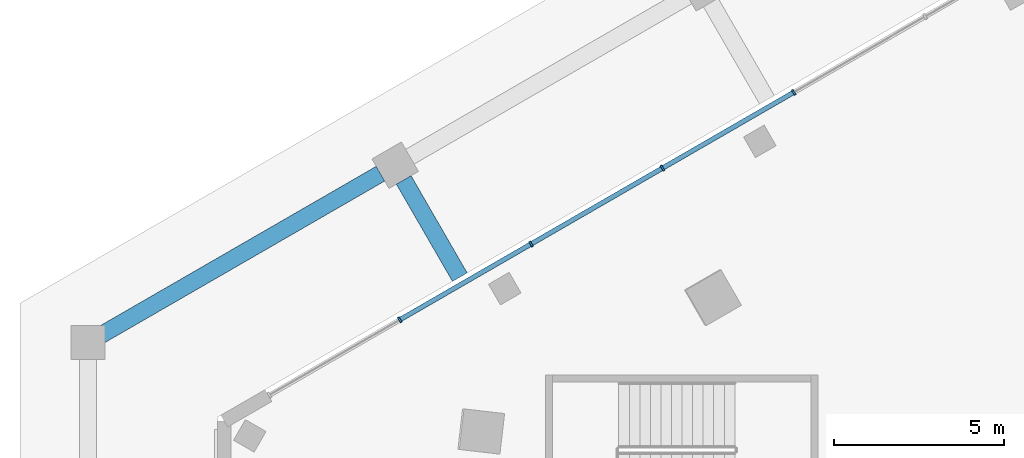
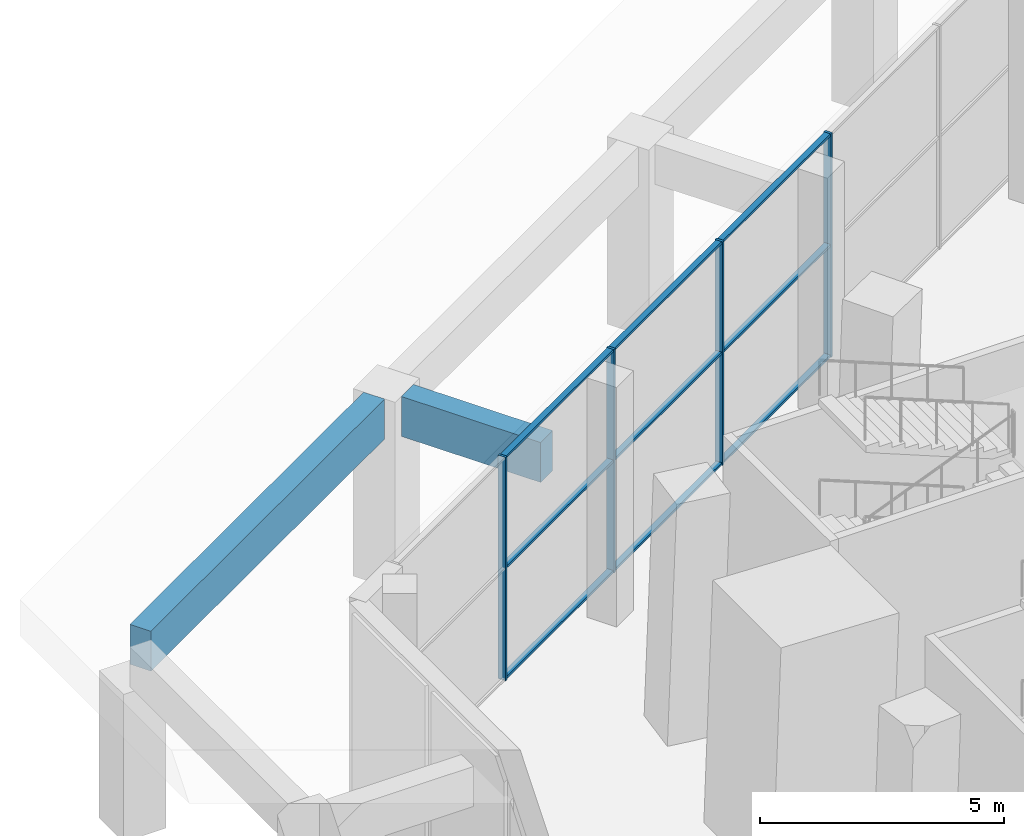
# One storey, part 7 of 51: 13 members, 2 beams, 1 element without a shape of its own.
"""IFC4 building model written with IfcOpenShell, lengths in metres."""

from ifc_helpers import new_model, si_unit, direction, frame, origin, origin_2d, place, context, subcontext, project, spatial, rectangle, extrude, material, layer, layer_set, material_profile, profile_set, type_object, element, aggregate, save


model = new_model("IFC4")

# Units and contexts
model_context = context("Model", 3, precision=1e-05, world=origin(), true_north=direction((0.0, 1.0)))
body_context = subcontext(model_context, "Body", "Model", "MODEL_VIEW")
ifc_project = project(units=[si_unit("LENGTHUNIT", "METRE"), si_unit("AREAUNIT", "SQUARE_METRE"), si_unit("VOLUMEUNIT", "CUBIC_METRE"), si_unit("PLANEANGLEUNIT", "RADIAN"), si_unit("MASSUNIT", "GRAM", prefix="KILO")], contexts=[model_context])

# Site, building, storey
site_placement = place(None, origin())
site = spatial("IfcSite", under=ifc_project, at=site_placement, CompositionType="ELEMENT")
building_placement = place(site_placement, origin())
building = spatial("IfcBuilding", under=site, at=building_placement, Name="Jabali Bay Hotel Tower and Convention Centre", CompositionType="ELEMENT")
storey_placement = place(building_placement, frame((0.0, 0.0, 9.0)))
storey = spatial("IfcBuildingStorey", under=building, at=storey_placement, Name="L01", CompositionType="ELEMENT", Elevation=9.0)

# Beams
ifc_material_1 = material(Name="Concrete C40", Category="concrete")
ifc_material_profile_1 = material_profile(ifc_material_1, rectangle(XDim=0.5, YDim=1.0, at=origin_2d()), Name="RC 500x1000")
ifc_profile_set_1 = profile_set([ifc_material_profile_1], Name="Concrete C40")
beam_type = type_object("IfcBeamType", Name="Arcade Edge Beam 500x1000", PredefinedType="BEAM", material=ifc_profile_set_1)
beam_1_placement = place(storey_placement, frame((31.249755859375, 92.2685546875, 4.199951171875), z_axis=(-0.866025895183, -0.499999148871, 0.0), x_axis=(0.499999148871, -0.866025895183, 0.0)))
element("IfcBeam", 1, at=beam_1_placement, inside=storey, type_object=beam_type, Name="Arcade edge beam 10", PredefinedType="BEAM", context=body_context, shape_type="SweptSolid", body=[
    extrude(rectangle(XDim=0.5, YDim=1.0, at=origin_2d()), origin(), (0.0, 0.0, 1.0), 9.59814453125),
])
beam_2_placement = place(storey_placement, frame((31.9326171875, 92.08544921875, 4.199951171875), z_axis=(0.50002983664, -0.866008176907, 0.0), x_axis=(0.866008176907, 0.50002983664, 0.0)))
element("IfcBeam", 2, at=beam_2_placement, inside=storey, type_object=beam_type, Name="Arcade cross beam 8", PredefinedType="BEAM", context=body_context, shape_type="SweptSolid", body=[
    extrude(rectangle(XDim=0.5, YDim=1.0, at=origin_2d()), origin(), (0.0, 0.0, 1.0), 3.300048828125),
])

# Curtain wall, members
ifc_material_2 = material(Name="Aluminium and glass", Category="aluminium")
ifc_layer = layer(ifc_material_2, 0.179931640625)
ifc_layer_set = layer_set([ifc_layer], Name="Aluminium and glass")
curtain_wall_type = type_object("IfcCurtainWallType", Name="CW1 curtain wall", PredefinedType="NOTDEFINED", material=ifc_layer_set)
curtain_wall_placement = place(storey_placement, origin())
curtain_wall = element("IfcCurtainWall", 3, at=curtain_wall_placement, inside=storey, type_object=curtain_wall_type, Name="CW1 curtain wall north-west face L01", PredefinedType="NOTDEFINED")
ifc_material_3 = material(Name="Aluminium", Category="aluminium")
ifc_material_profile_2 = material_profile(ifc_material_3, rectangle(XDim=0.179931640625, YDim=0.06005859375, at=origin_2d()), Name="CW1 mullion 60 x 180")
ifc_profile_set_2 = profile_set([ifc_material_profile_2], Name="Aluminium")
member_type_1 = type_object("IfcMemberType", Name="CW1 mullion 60 x 180", PredefinedType="MULLION", material=ifc_profile_set_2)
member_1_placement = place(storey_placement, frame((31.817138671875, 87.977294921875, 0.0), z_axis=(0.0, 0.0, 1.0), x_axis=(-0.499999999441, 0.866025404107, 0.0)))
member_1 = element("IfcMember", 4, at=member_1_placement, type_object=member_type_1, Name="CW1 mullion 2", PredefinedType="MULLION", context=body_context, shape_type="SweptSolid", body=[
    extrude(rectangle(XDim=0.179931640625, YDim=0.06005859375, at=origin_2d()), origin(), (0.0, 0.0, 1.0), 5.60009765625),
])
member_2_placement = place(storey_placement, frame((35.6748046875, 90.20458984375, 0.0), z_axis=(0.0, 0.0, 1.0), x_axis=(-0.499999999441, 0.866025404107, 0.0)))
member_2 = element("IfcMember", 5, at=member_2_placement, type_object=member_type_1, Name="CW1 mullion 3", PredefinedType="MULLION", context=body_context, shape_type="SweptSolid", body=[
    extrude(rectangle(XDim=0.179931640625, YDim=0.06005859375, at=origin_2d()), origin(), (0.0, 0.0, 1.0), 5.60009765625),
])
member_3_placement = place(storey_placement, frame((39.532470703125, 92.431884765625, 0.0), z_axis=(0.0, 0.0, 1.0), x_axis=(-0.499999999441, 0.866025404107, 0.0)))
member_3 = element("IfcMember", 6, at=member_3_placement, type_object=member_type_1, Name="CW1 mullion 4", PredefinedType="MULLION", context=body_context, shape_type="SweptSolid", body=[
    extrude(rectangle(XDim=0.179931640625, YDim=0.06005859375, at=origin_2d()), origin(), (0.0, 0.0, 1.0), 5.60009765625),
])
member_4_placement = place(storey_placement, frame((43.39013671875, 94.658935546875, 0.0), z_axis=(0.0, 0.0, 1.0), x_axis=(-0.499999999441, 0.866025404107, 0.0)))
member_4 = element("IfcMember", 7, at=member_4_placement, type_object=member_type_1, Name="CW1 mullion 5", PredefinedType="MULLION", context=body_context, shape_type="SweptSolid", body=[
    extrude(rectangle(XDim=0.179931640625, YDim=0.06005859375, at=origin_2d()), origin(), (0.0, 0.0, 1.0), 5.60009765625),
])
ifc_material_profile_3 = material_profile(ifc_material_3, rectangle(XDim=0.139892578125, YDim=0.06005859375, at=origin_2d()), Name="CW1 transom 60 x 140")
ifc_profile_set_3 = profile_set([ifc_material_profile_3], Name="Aluminium")
member_type_2 = type_object("IfcMemberType", Name="CW1 transom 60 x 140", PredefinedType="USERDEFINED", material=ifc_profile_set_3)
member_5_placement = place(storey_placement, frame((31.843017578125, 87.9921875, 0.030029296875), z_axis=(0.866019052629, 0.500011000363, 0.0), x_axis=(-0.500011000363, 0.866019052629, 0.0)))
member_5 = element("IfcMember", 8, at=member_5_placement, type_object=member_type_2, Name="CW1 transom 2.1", ObjectType="TRANSOM", PredefinedType="USERDEFINED", context=body_context, shape_type="SweptSolid", body=[
    extrude(rectangle(XDim=0.139892578125, YDim=0.06005859375, at=origin_2d()), origin(), (0.0, 0.0, 1.0), 4.39453125),
])
member_6_placement = place(storey_placement, frame((31.843017578125, 87.9921875, 2.800048828125), z_axis=(0.866019052629, 0.500011000363, 0.0), x_axis=(-0.500011000363, 0.866019052629, 0.0)))
member_6 = element("IfcMember", 9, at=member_6_placement, type_object=member_type_2, Name="CW1 transom 2.2", ObjectType="TRANSOM", PredefinedType="USERDEFINED", context=body_context, shape_type="SweptSolid", body=[
    extrude(rectangle(XDim=0.139892578125, YDim=0.06005859375, at=origin_2d()), origin(), (0.0, 0.0, 1.0), 4.39453125),
])
member_7_placement = place(storey_placement, frame((31.843017578125, 87.9921875, 5.570068359375), z_axis=(0.866019052629, 0.500011000363, 0.0), x_axis=(-0.500011000363, 0.866019052629, 0.0)))
member_7 = element("IfcMember", 10, at=member_7_placement, type_object=member_type_2, Name="CW1 transom 2.3", ObjectType="TRANSOM", PredefinedType="USERDEFINED", context=body_context, shape_type="SweptSolid", body=[
    extrude(rectangle(XDim=0.139892578125, YDim=0.06005859375, at=origin_2d()), origin(), (0.0, 0.0, 1.0), 4.39453125),
])
member_8_placement = place(storey_placement, frame((35.70068359375, 90.219482421875, 0.030029296875), z_axis=(0.866032941432, 0.499986944184, 0.0), x_axis=(-0.499986944184, 0.866032941432, 0.0)))
member_8 = element("IfcMember", 11, at=member_8_placement, type_object=member_type_2, Name="CW1 transom 3.1", ObjectType="TRANSOM", PredefinedType="USERDEFINED", context=body_context, shape_type="SweptSolid", body=[
    extrude(rectangle(XDim=0.139892578125, YDim=0.06005859375, at=origin_2d()), origin(), (0.0, 0.0, 1.0), 4.39453125),
])
member_9_placement = place(storey_placement, frame((35.70068359375, 90.219482421875, 2.800048828125), z_axis=(0.866032941432, 0.499986944184, 0.0), x_axis=(-0.499986944184, 0.866032941432, 0.0)))
member_9 = element("IfcMember", 12, at=member_9_placement, type_object=member_type_2, Name="CW1 transom 3.2", ObjectType="TRANSOM", PredefinedType="USERDEFINED", context=body_context, shape_type="SweptSolid", body=[
    extrude(rectangle(XDim=0.139892578125, YDim=0.06005859375, at=origin_2d()), origin(), (0.0, 0.0, 1.0), 4.39453125),
])
member_10_placement = place(storey_placement, frame((35.70068359375, 90.219482421875, 5.570068359375), z_axis=(0.866032941432, 0.499986944184, 0.0), x_axis=(-0.499986944184, 0.866032941432, 0.0)))
member_10 = element("IfcMember", 13, at=member_10_placement, type_object=member_type_2, Name="CW1 transom 3.3", ObjectType="TRANSOM", PredefinedType="USERDEFINED", context=body_context, shape_type="SweptSolid", body=[
    extrude(rectangle(XDim=0.139892578125, YDim=0.06005859375, at=origin_2d()), origin(), (0.0, 0.0, 1.0), 4.39453125),
])
member_11_placement = place(storey_placement, frame((39.558349609375, 92.44677734375, 0.030029296875), z_axis=(0.866032941432, 0.499986944184, 0.0), x_axis=(-0.499986944184, 0.866032941432, 0.0)))
member_11 = element("IfcMember", 14, at=member_11_placement, type_object=member_type_2, Name="CW1 transom 4.1", ObjectType="TRANSOM", PredefinedType="USERDEFINED", context=body_context, shape_type="SweptSolid", body=[
    extrude(rectangle(XDim=0.139892578125, YDim=0.06005859375, at=origin_2d()), origin(), (0.0, 0.0, 1.0), 4.39453125),
])
member_12_placement = place(storey_placement, frame((39.558349609375, 92.44677734375, 2.800048828125), z_axis=(0.866032941432, 0.499986944184, 0.0), x_axis=(-0.499986944184, 0.866032941432, 0.0)))
member_12 = element("IfcMember", 15, at=member_12_placement, type_object=member_type_2, Name="CW1 transom 4.2", ObjectType="TRANSOM", PredefinedType="USERDEFINED", context=body_context, shape_type="SweptSolid", body=[
    extrude(rectangle(XDim=0.139892578125, YDim=0.06005859375, at=origin_2d()), origin(), (0.0, 0.0, 1.0), 4.39453125),
])
member_13_placement = place(storey_placement, frame((39.558349609375, 92.44677734375, 5.570068359375), z_axis=(0.866032941432, 0.499986944184, 0.0), x_axis=(-0.499986944184, 0.866032941432, 0.0)))
member_13 = element("IfcMember", 16, at=member_13_placement, type_object=member_type_2, Name="CW1 transom 4.3", ObjectType="TRANSOM", PredefinedType="USERDEFINED", context=body_context, shape_type="SweptSolid", body=[
    extrude(rectangle(XDim=0.139892578125, YDim=0.06005859375, at=origin_2d()), origin(), (0.0, 0.0, 1.0), 4.39453125),
])
aggregate(curtain_wall, [member_1, member_2, member_3, member_4, member_5, member_6, member_7, member_8, member_9, member_10, member_11, member_12, member_13])

save(model, "model.ifc")
